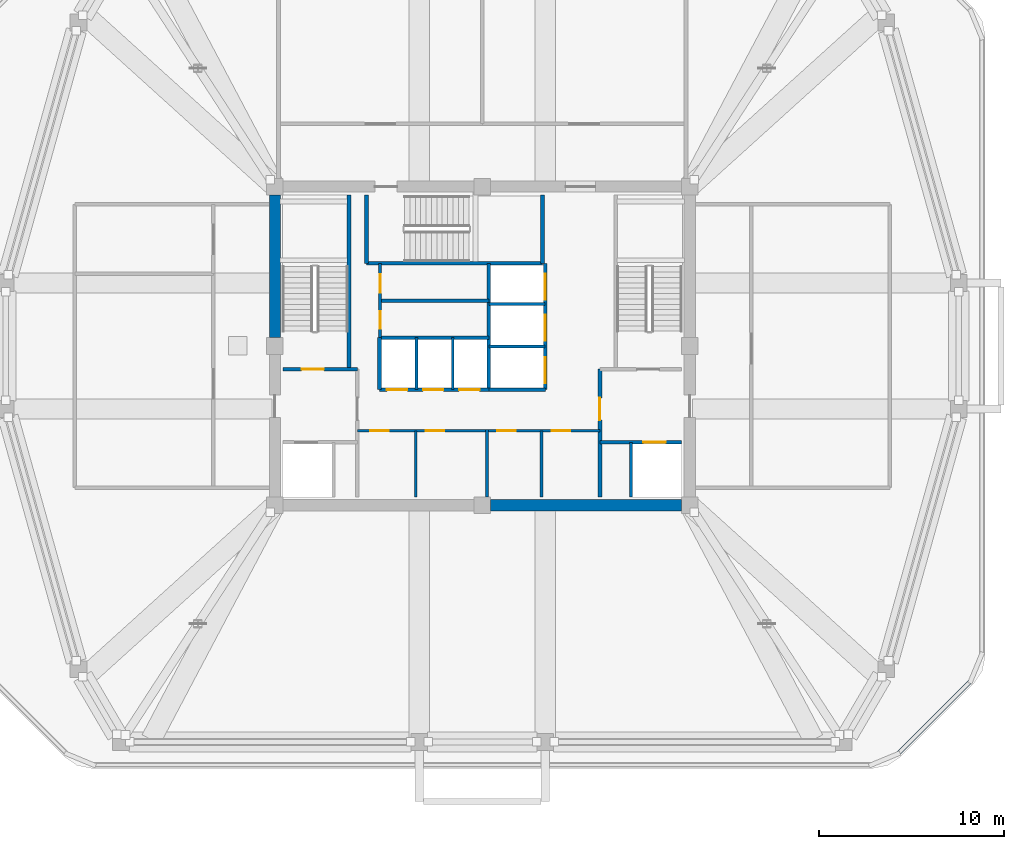
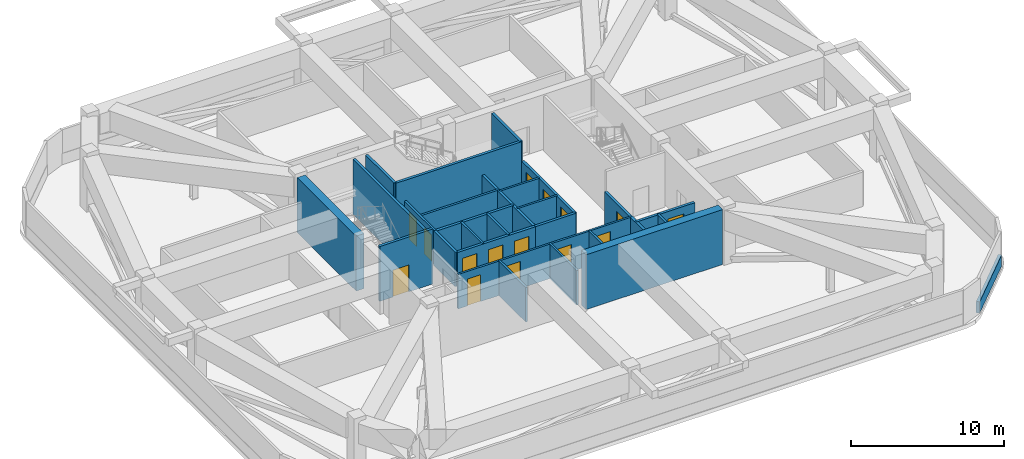
# One storey, part 4 of 9: 28 walls, 15 doors, 15 openings.
"""IFC4 building model written with IfcOpenShell, lengths in metres."""

from ifc_helpers import new_model, si_unit, derived_unit, direction, frame, frame_2d, origin, place, context, subcontext, project, spatial, rectangle, extrude, material, layer, layer_set, type_object, element, fill, save


model = new_model("IFC4")

# Units and contexts
model_context = context("Model", 3, precision=1e-05, world=origin(), true_north=direction((0.0, 1.0)))
body_context = subcontext(model_context, "Body", "Model", "MODEL_VIEW")
ifc_project = project(units=[si_unit("LENGTHUNIT", "METRE"), si_unit("AREAUNIT", "SQUARE_METRE"), si_unit("VOLUMEUNIT", "CUBIC_METRE"), si_unit("PLANEANGLEUNIT", "RADIAN"), si_unit("MASSUNIT", "GRAM", prefix="KILO"), derived_unit("THERMALTRANSMITTANCEUNIT", [(si_unit("POWERUNIT", "WATT"), 1), (si_unit("LENGTHUNIT", "METRE"), -2), (si_unit("THERMODYNAMICTEMPERATUREUNIT", "KELVIN"), -1)])], contexts=[model_context])

# Site, building, storey
site_placement = place(None, origin())
site = spatial("IfcSite", under=ifc_project, at=site_placement, CompositionType="ELEMENT")
building_placement = place(site_placement, origin())
building = spatial("IfcBuilding", under=site, at=building_placement, Name="Koralith Skygarden Medical Center", CompositionType="ELEMENT")
storey_placement = place(building_placement, frame((0.0, 0.0, 232.3798828125)))
storey = spatial("IfcBuildingStorey", under=building, at=storey_placement, Name="L60", CompositionType="ELEMENT", Elevation=232.3798828125)

# Wall, openings, doors
ifc_material_1 = material(Name="Gypsum Board Partition")
ifc_layer_1 = layer(ifc_material_1, 0.14990234375)
ifc_layer_set_1 = layer_set([ifc_layer_1], Name="Gypsum Board Partition")
wall_type_1 = type_object("IfcWallType", Name="Clinical Acoustic Partition 150", PredefinedType="PARTITIONING", material=ifc_layer_set_1)
wall_1_placement = place(storey_placement, frame((30.25, 21.320068359375, 0.0), z_axis=(0.0, 0.0, 1.0), x_axis=(1.0, 0.0, 0.0)))
wall_1 = element("IfcWall", 1, at=wall_1_placement, inside=storey, type_object=wall_type_1, Name="L60 Clinical Acoustic Partition 150 W-CORE-L60-FREED-LR-N", PredefinedType="PARTITIONING", context=body_context, shape_type="SweptSolid", body=[
    extrude(rectangle(XDim=7.0, YDim=0.14990234375, at=frame_2d((3.5, 0.0))), origin(), (0.0, 0.0, 1.0), 2.75),
])
opening_1_placement = place(wall_1_placement, frame((0.699951171875, 0.0, 0.0)))
opening_1 = element("IfcOpeningElement", 2, at=opening_1_placement, cuts=wall_1, Name="Opening D-SUP", PredefinedType="OPENING", context=body_context, shape_type="SweptSolid", body=[
    extrude(rectangle(XDim=1.0, YDim=2.14990234375, at=frame_2d((0.5, 1.074951171875))), frame((0.0, 0.0849609375, 0.0), z_axis=(0.0, -1.0, 0.0), x_axis=(1.0, 0.0, 0.0)), (0.0, 0.0, 1.0), 0.169921875),
])
opening_2_placement = place(wall_1_placement, frame((3.699951171875, 0.0, 0.0)))
opening_2 = element("IfcOpeningElement", 3, at=opening_2_placement, cuts=wall_1, Name="Opening D-SUP", PredefinedType="OPENING", context=body_context, shape_type="SweptSolid", body=[
    extrude(rectangle(XDim=1.0, YDim=2.14990234375, at=frame_2d((0.5, 1.074951171875))), frame((0.0, 0.0849609375, 0.0), z_axis=(0.0, -1.0, 0.0), x_axis=(1.0, 0.0, 0.0)), (0.0, 0.0, 1.0), 0.169921875),
])
ifc_material_2 = material(Name="Aluminium 6063-T6", Category="aluminium")
door_type_1 = type_object("IfcDoorType", Name="Clinical Support Door D-SUP 1000", OperationType="NOTDEFINED", PredefinedType="DOOR", material=ifc_material_2)
door_1_placement = place(opening_1_placement, frame((1.0, 0.0, 0.0), z_axis=(0.0, 0.0, 1.0), x_axis=(-1.0, 0.0, 0.0)))
door_1 = element("IfcDoor", 4, at=door_1_placement, inside=storey, type_object=door_type_1, Name="L60 Medication Preparation Door", OperationType="SINGLE_SWING_LEFT", OverallHeight=2.14990234375, OverallWidth=1.0, PredefinedType="DOOR", context=body_context, shape_type="SweptSolid", body=[
    extrude(rectangle(XDim=1.0, YDim=2.14990234375, at=frame_2d((0.5, 1.074951171875))), frame((0.0, 0.02490234375, 0.0), z_axis=(0.0, -1.0, 0.0), x_axis=(1.0, 0.0, 0.0)), (0.0, 0.0, 1.0), 0.050048828125),
])
fill(opening_1, door_1)
door_2_placement = place(opening_2_placement, frame((1.0, 0.0, 0.0), z_axis=(0.0, 0.0, 1.0), x_axis=(-1.0, 0.0, 0.0)))
door_2 = element("IfcDoor", 5, at=door_2_placement, inside=storey, type_object=door_type_1, Name="L60 Telemetry Room Door", OperationType="SINGLE_SWING_RIGHT", OverallHeight=2.14990234375, OverallWidth=1.0, PredefinedType="DOOR", context=body_context, shape_type="SweptSolid", body=[
    extrude(rectangle(XDim=1.0, YDim=2.14990234375, at=frame_2d((0.5, 1.074951171875))), frame((0.0, 0.02490234375, 0.0), z_axis=(0.0, -1.0, 0.0), x_axis=(1.0, 0.0, 0.0)), (0.0, 0.0, 1.0), 0.050048828125),
])
fill(opening_2, door_2)

# Wall
wall_2_placement = place(storey_placement, frame((33.39990234375, 17.75, 0.0), z_axis=(0.0, 0.0, 1.0), x_axis=(0.0, 1.0, 0.0)))
element("IfcWall", 6, at=wall_2_placement, inside=storey, type_object=wall_type_1, Name="L60 Clinical Acoustic Partition 150 W-CORE-L60-FREED-LR-M", PredefinedType="PARTITIONING", context=body_context, shape_type="SweptSolid", body=[
    extrude(rectangle(XDim=3.570068359375, YDim=0.14990234375, at=frame_2d((1.78515625, 0.0))), origin(), (0.0, 0.0, 1.0), 2.75),
])

# Wall, openings, doors
wall_3_placement = place(storey_placement, frame((37.25, 21.320068359375, 0.0), z_axis=(0.0, 0.0, 1.0), x_axis=(1.0, 0.0, 0.0)))
wall_3 = element("IfcWall", 7, at=wall_3_placement, inside=storey, type_object=wall_type_1, Name="L60 Clinical Acoustic Partition 150 W-CORE-L60-FREED-MR-N", PredefinedType="PARTITIONING", context=body_context, shape_type="SweptSolid", body=[
    extrude(rectangle(XDim=6.10009765625, YDim=0.14990234375, at=frame_2d((3.050048828125, 0.0))), origin(), (0.0, 0.0, 1.0), 2.75),
])
opening_3_placement = place(wall_3_placement, frame((0.550048828125, 0.0, 0.0)))
opening_3 = element("IfcOpeningElement", 8, at=opening_3_placement, cuts=wall_3, Name="Opening D-SUP", PredefinedType="OPENING", context=body_context, shape_type="SweptSolid", body=[
    extrude(rectangle(XDim=1.0, YDim=2.14990234375, at=frame_2d((0.5, 1.074951171875))), frame((0.0, 0.0849609375, 0.0), z_axis=(0.0, -1.0, 0.0), x_axis=(1.0, 0.0, 0.0)), (0.0, 0.0, 1.0), 0.169921875),
])
opening_4_placement = place(wall_3_placement, frame((3.5, 0.0, 0.0)))
opening_4 = element("IfcOpeningElement", 9, at=opening_4_placement, cuts=wall_3, Name="Opening D-SUP", PredefinedType="OPENING", context=body_context, shape_type="SweptSolid", body=[
    extrude(rectangle(XDim=1.0, YDim=2.14990234375, at=frame_2d((0.5, 1.074951171875))), frame((0.0, 0.0849609375, 0.0), z_axis=(0.0, -1.0, 0.0), x_axis=(1.0, 0.0, 0.0)), (0.0, 0.0, 1.0), 0.169921875),
])
door_3_placement = place(opening_3_placement, frame((1.0, 0.0, 0.0), z_axis=(0.0, 0.0, 1.0), x_axis=(-1.0, 0.0, 0.0)))
door_3 = element("IfcDoor", 10, at=door_3_placement, inside=storey, type_object=door_type_1, Name="L60 Satellite Pharmacy Door", OperationType="SINGLE_SWING_LEFT", OverallHeight=2.14990234375, OverallWidth=1.0, PredefinedType="DOOR", context=body_context, shape_type="SweptSolid", body=[
    extrude(rectangle(XDim=1.0, YDim=2.14990234375, at=frame_2d((0.5, 1.074951171875))), frame((0.0, 0.02490234375, 0.0), z_axis=(0.0, -1.0, 0.0), x_axis=(1.0, 0.0, 0.0)), (0.0, 0.0, 1.0), 0.050048828125),
])
fill(opening_3, door_3)
door_4_placement = place(opening_4_placement, frame((1.0, 0.0, 0.0), z_axis=(0.0, 0.0, 1.0), x_axis=(-1.0, 0.0, 0.0)))
door_4 = element("IfcDoor", 11, at=door_4_placement, inside=storey, type_object=door_type_1, Name="L60 Biomedical Equipment Door", OperationType="SINGLE_SWING_RIGHT", OverallHeight=2.14990234375, OverallWidth=1.0, PredefinedType="DOOR", context=body_context, shape_type="SweptSolid", body=[
    extrude(rectangle(XDim=1.0, YDim=2.14990234375, at=frame_2d((0.5, 1.074951171875))), frame((0.0, 0.02490234375, 0.0), z_axis=(0.0, -1.0, 0.0), x_axis=(1.0, 0.0, 0.0)), (0.0, 0.0, 1.0), 0.050048828125),
])
fill(opening_4, door_4)

# Wall
wall_4_placement = place(storey_placement, frame((40.199951171875, 17.75, 0.0), z_axis=(0.0, 0.0, 1.0), x_axis=(0.0, 1.0, 0.0)))
element("IfcWall", 12, at=wall_4_placement, inside=storey, type_object=wall_type_1, Name="L60 Clinical Acoustic Partition 150 W-CORE-L60-FREED-MR-M", PredefinedType="PARTITIONING", context=body_context, shape_type="SweptSolid", body=[
    extrude(rectangle(XDim=3.570068359375, YDim=0.14990234375, at=frame_2d((1.78515625, 0.0))), origin(), (0.0, 0.0, 1.0), 2.75),
])

# Wall, opening, door
ifc_layer_2 = layer(ifc_material_1, 0.199951171875)
ifc_layer_set_2 = layer_set([ifc_layer_2], Name="Gypsum Board Partition")
wall_type_2 = type_object("IfcWallType", Name="Fire Shaft Wall 200", PredefinedType="SOLIDWALL", material=ifc_layer_set_2)
wall_5_placement = place(storey_placement, frame((43.35009765625, 20.699951171875, 0.0), z_axis=(0.0, 0.0, 1.0), x_axis=(1.0, 0.0, 0.0)))
wall_5 = element("IfcWall", 13, at=wall_5_placement, inside=storey, type_object=wall_type_2, Name="L60 Fire Shaft Wall 200 W-CORE-L60-FF2-N", PredefinedType="SOLIDWALL", context=body_context, shape_type="SweptSolid", body=[
    extrude(rectangle(XDim=4.39990234375, YDim=0.199951171875, at=frame_2d((2.199951171875, 0.0))), origin(), (0.0, 0.0, 1.0), 2.75),
])
opening_5_placement = place(wall_5_placement, frame((2.35009765625, 0.0, 0.0)))
opening_5 = element("IfcOpeningElement", 14, at=opening_5_placement, cuts=wall_5, Name="Opening LD-FF", PredefinedType="OPENING", context=body_context, shape_type="SweptSolid", body=[
    extrude(rectangle(XDim=1.199951171875, YDim=2.14990234375, at=frame_2d((0.60009765625, 1.074951171875))), frame((0.0, 0.10986328125, 0.0), z_axis=(0.0, -1.0, 0.0), x_axis=(1.0, 0.0, 0.0)), (0.0, 0.0, 1.0), 0.219970703125),
])
ifc_material_3 = material(Name="Steel ASTM A500 Grade C", Category="steel")
door_type_2 = type_object("IfcDoorType", Name="Fire Lift Sliding Landing Door LD-FF 1200", OperationType="NOTDEFINED", PredefinedType="DOOR", material=ifc_material_3)
door_5_placement = place(opening_5_placement, origin())
door_5 = element("IfcDoor", 15, at=door_5_placement, inside=storey, type_object=door_type_2, Name="L60 Fire Service Elevator FF2 Landing Door", OperationType="SLIDING_TO_RIGHT", OverallHeight=2.14990234375, OverallWidth=1.199951171875, PredefinedType="DOOR", context=body_context, shape_type="SweptSolid", body=[
    extrude(rectangle(XDim=1.199951171875, YDim=2.14990234375, at=frame_2d((0.60009765625, 1.074951171875))), frame((0.0, 0.02490234375, 0.0), z_axis=(0.0, -1.0, 0.0), x_axis=(1.0, 0.0, 0.0)), (0.0, 0.0, 1.0), 0.050048828125),
])
fill(opening_5, door_5)

wall_6_placement = place(storey_placement, frame((43.35009765625, 17.75, 0.0), z_axis=(0.0, 0.0, 1.0), x_axis=(0.0, 1.0, 0.0)))
wall_6 = element("IfcWall", 16, at=wall_6_placement, inside=storey, type_object=wall_type_2, Name="L60 Fire Shaft Wall 200 W-CORE-L60-FSAEE-W", PredefinedType="SOLIDWALL", context=body_context, shape_type="SweptSolid", body=[
    extrude(rectangle(XDim=6.89990234375, YDim=0.199951171875, at=frame_2d((3.449951171875, 0.0))), origin(), (0.0, 0.0, 1.0), 2.75),
])
opening_6_placement = place(wall_6_placement, frame((4.14990234375, 0.0, 0.0)))
opening_6 = element("IfcOpeningElement", 17, at=opening_6_placement, cuts=wall_6, Name="Opening D-ST60", PredefinedType="OPENING", context=body_context, shape_type="SweptSolid", body=[
    extrude(rectangle(XDim=1.199951171875, YDim=2.14990234375, at=frame_2d((0.60009765625, 1.074951171875))), frame((0.0, 0.10986328125, 0.0), z_axis=(0.0, -1.0, 0.0), x_axis=(1.0, 0.0, 0.0)), (0.0, 0.0, 1.0), 0.219970703125),
])
door_type_3 = type_object("IfcDoorType", Name="Smokeproof Stair Fire Door FD60S 1200", OperationType="NOTDEFINED", PredefinedType="DOOR", material=ifc_material_3)
door_6_placement = place(opening_6_placement, frame((1.199951171875, 0.0, 0.0), z_axis=(0.0, 0.0, 1.0), x_axis=(-1.0, 0.0, 0.0)))
door_6 = element("IfcDoor", 18, at=door_6_placement, inside=storey, type_object=door_type_3, Name="L60 East Firefighting Lobby Inner Fire Door", OperationType="SINGLE_SWING_RIGHT", OverallHeight=2.14990234375, OverallWidth=1.199951171875, PredefinedType="DOOR", context=body_context, shape_type="SweptSolid", body=[
    extrude(rectangle(XDim=1.199951171875, YDim=2.14990234375, at=frame_2d((0.60009765625, 1.074951171875))), frame((0.0, 0.02490234375, 0.0), z_axis=(0.0, -1.0, 0.0), x_axis=(1.0, 0.0, 0.0)), (0.0, 0.0, 1.0), 0.050048828125),
])
fill(opening_6, door_6)

# Wall, openings, doors
wall_7_placement = place(storey_placement, frame((31.449951171875, 23.5400390625, 0.0), z_axis=(0.0, 0.0, 1.0), x_axis=(1.0, 0.0, 0.0)))
wall_7 = element("IfcWall", 19, at=wall_7_placement, inside=storey, type_object=wall_type_2, Name="L60 Fire Shaft Wall 200 W-CORE-L60-PH-S", PredefinedType="SOLIDWALL", context=body_context, shape_type="SweptSolid", body=[
    extrude(rectangle(XDim=5.900146484375, YDim=0.199951171875, at=frame_2d((2.9501953125, 0.0))), origin(), (0.0, 0.0, 1.0), 2.75),
])
opening_7_placement = place(wall_7_placement, frame((0.39990234375, 0.0, 0.0)))
opening_7 = element("IfcOpeningElement", 20, at=opening_7_placement, cuts=wall_7, Name="Opening LD-P", PredefinedType="OPENING", context=body_context, shape_type="SweptSolid", body=[
    extrude(rectangle(XDim=1.10009765625, YDim=2.14990234375, at=frame_2d((0.550048828125, 1.074951171875))), frame((0.0, 0.10986328125, 0.0), z_axis=(0.0, -1.0, 0.0), x_axis=(1.0, 0.0, 0.0)), (0.0, 0.0, 1.0), 0.219970703125),
])
opening_8_placement = place(wall_7_placement, frame((2.35009765625, 0.0, 0.0)))
opening_8 = element("IfcOpeningElement", 21, at=opening_8_placement, cuts=wall_7, Name="Opening LD-P", PredefinedType="OPENING", context=body_context, shape_type="SweptSolid", body=[
    extrude(rectangle(XDim=1.10009765625, YDim=2.14990234375, at=frame_2d((0.550048828125, 1.074951171875))), frame((0.0, 0.10986328125, 0.0), z_axis=(0.0, -1.0, 0.0), x_axis=(1.0, 0.0, 0.0)), (0.0, 0.0, 1.0), 0.219970703125),
])
opening_9_placement = place(wall_7_placement, frame((4.300048828125, 0.0, 0.0)))
opening_9 = element("IfcOpeningElement", 22, at=opening_9_placement, cuts=wall_7, Name="Opening LD-P", PredefinedType="OPENING", context=body_context, shape_type="SweptSolid", body=[
    extrude(rectangle(XDim=1.10009765625, YDim=2.14990234375, at=frame_2d((0.550048828125, 1.074951171875))), frame((0.0, 0.10986328125, 0.0), z_axis=(0.0, -1.0, 0.0), x_axis=(1.0, 0.0, 0.0)), (0.0, 0.0, 1.0), 0.219970703125),
])
door_type_4 = type_object("IfcDoorType", Name="Passenger Lift Sliding Landing Door LD-P 1100", OperationType="NOTDEFINED", PredefinedType="DOOR", material=ifc_material_3)
door_7_placement = place(opening_7_placement, origin())
door_7 = element("IfcDoor", 23, at=door_7_placement, inside=storey, type_object=door_type_4, Name="L60 Passenger Elevator PH1 Landing Door", OperationType="SLIDING_TO_RIGHT", OverallHeight=2.14990234375, OverallWidth=1.10009765625, PredefinedType="DOOR", context=body_context, shape_type="SweptSolid", body=[
    extrude(rectangle(XDim=1.10009765625, YDim=2.14990234375, at=frame_2d((0.550048828125, 1.074951171875))), frame((0.0, 0.02490234375, 0.0), z_axis=(0.0, -1.0, 0.0), x_axis=(1.0, 0.0, 0.0)), (0.0, 0.0, 1.0), 0.050048828125),
])
fill(opening_7, door_7)
door_8_placement = place(opening_8_placement, origin())
door_8 = element("IfcDoor", 24, at=door_8_placement, inside=storey, type_object=door_type_4, Name="L60 Passenger Elevator PH2 Landing Door", OperationType="SLIDING_TO_RIGHT", OverallHeight=2.14990234375, OverallWidth=1.10009765625, PredefinedType="DOOR", context=body_context, shape_type="SweptSolid", body=[
    extrude(rectangle(XDim=1.10009765625, YDim=2.14990234375, at=frame_2d((0.550048828125, 1.074951171875))), frame((0.0, 0.02490234375, 0.0), z_axis=(0.0, -1.0, 0.0), x_axis=(1.0, 0.0, 0.0)), (0.0, 0.0, 1.0), 0.050048828125),
])
fill(opening_8, door_8)
door_9_placement = place(opening_9_placement, origin())
door_9 = element("IfcDoor", 25, at=door_9_placement, inside=storey, type_object=door_type_4, Name="L60 Passenger Elevator PH3 Landing Door", OperationType="SLIDING_TO_RIGHT", OverallHeight=2.14990234375, OverallWidth=1.10009765625, PredefinedType="DOOR", context=body_context, shape_type="SweptSolid", body=[
    extrude(rectangle(XDim=1.10009765625, YDim=2.14990234375, at=frame_2d((0.550048828125, 1.074951171875))), frame((0.0, 0.02490234375, 0.0), z_axis=(0.0, -1.0, 0.0), x_axis=(1.0, 0.0, 0.0)), (0.0, 0.0, 1.0), 0.050048828125),
])
fill(opening_9, door_9)

# Walls
wall_8_placement = place(storey_placement, frame((31.449951171875, 26.35009765625, 0.0), z_axis=(0.0, 0.0, 1.0), x_axis=(1.0, 0.0, 0.0)))
element("IfcWall", 26, at=wall_8_placement, inside=storey, type_object=wall_type_2, Name="L60 Fire Shaft Wall 200 W-CORE-L60-PH-N", PredefinedType="SOLIDWALL", context=body_context, shape_type="SweptSolid", body=[
    extrude(rectangle(XDim=5.900146484375, YDim=0.199951171875, at=frame_2d((2.9501953125, 0.0))), origin(), (0.0, 0.0, 1.0), 2.75),
])
wall_9_placement = place(storey_placement, frame((31.449951171875, 23.5400390625, 0.0), z_axis=(0.0, 0.0, 1.0), x_axis=(0.0, 1.0, 0.0)))
element("IfcWall", 27, at=wall_9_placement, inside=storey, type_object=wall_type_2, Name="L60 Fire Shaft Wall 200 W-CORE-L60-PH-W", PredefinedType="SOLIDWALL", context=body_context, shape_type="SweptSolid", body=[
    extrude(rectangle(XDim=2.81005859375, YDim=0.199951171875, at=frame_2d((1.405029296875, 0.0))), origin(), (0.0, 0.0, 1.0), 2.75),
])
wall_10_placement = place(storey_placement, frame((37.35009765625, 23.5400390625, 0.0), z_axis=(0.0, 0.0, 1.0), x_axis=(0.0, 1.0, 0.0)))
element("IfcWall", 28, at=wall_10_placement, inside=storey, type_object=wall_type_2, Name="L60 Fire Shaft Wall 200 W-CORE-L60-SV-W", PredefinedType="SOLIDWALL", context=body_context, shape_type="SweptSolid", body=[
    extrude(rectangle(XDim=6.820068359375, YDim=0.199951171875, at=frame_2d((3.41015625, 0.0))), origin(), (0.0, 0.0, 1.0), 2.75),
])
wall_11_placement = place(storey_placement, frame((37.35009765625, 23.5400390625, 0.0), z_axis=(0.0, 0.0, 1.0), x_axis=(1.0, 0.0, 0.0)))
element("IfcWall", 29, at=wall_11_placement, inside=storey, type_object=wall_type_2, Name="L60 Fire Shaft Wall 200 W-CORE-L60-SV-S", PredefinedType="SOLIDWALL", context=body_context, shape_type="SweptSolid", body=[
    extrude(rectangle(XDim=3.0498046875, YDim=0.199951171875, at=frame_2d((1.52490234375, 0.0))), origin(), (0.0, 0.0, 1.0), 2.75),
])

# Wall, openings, doors
wall_12_placement = place(storey_placement, frame((40.39990234375, 23.5400390625, 0.0), z_axis=(0.0, 0.0, 1.0), x_axis=(0.0, 1.0, 0.0)))
wall_12 = element("IfcWall", 30, at=wall_12_placement, inside=storey, type_object=wall_type_2, Name="L60 Fire Shaft Wall 200 W-CORE-L60-SV-E", PredefinedType="SOLIDWALL", context=body_context, shape_type="SweptSolid", body=[
    extrude(rectangle(XDim=6.820068359375, YDim=0.199951171875, at=frame_2d((3.41015625, 0.0))), origin(), (0.0, 0.0, 1.0), 2.75),
])
opening_10_placement = place(wall_12_placement, frame((0.35009765625, 0.0, 0.0)))
opening_10 = element("IfcOpeningElement", 31, at=opening_10_placement, cuts=wall_12, Name="Opening LD-SV", PredefinedType="OPENING", context=body_context, shape_type="SweptSolid", body=[
    extrude(rectangle(XDim=1.39990234375, YDim=2.199951171875, at=frame_2d((0.699951171875, 1.10009765625))), frame((0.0, 0.10986328125, 0.0), z_axis=(0.0, -1.0, 0.0), x_axis=(1.0, 0.0, 0.0)), (0.0, 0.0, 1.0), 0.219970703125),
])
opening_11_placement = place(wall_12_placement, frame((2.64990234375, 0.0, 0.0)))
opening_11 = element("IfcOpeningElement", 32, at=opening_11_placement, cuts=wall_12, Name="Opening LD-SV", PredefinedType="OPENING", context=body_context, shape_type="SweptSolid", body=[
    extrude(rectangle(XDim=1.39990234375, YDim=2.199951171875, at=frame_2d((0.699951171875, 1.10009765625))), frame((0.0, 0.10986328125, 0.0), z_axis=(0.0, -1.0, 0.0), x_axis=(1.0, 0.0, 0.0)), (0.0, 0.0, 1.0), 0.219970703125),
])
opening_12_placement = place(wall_12_placement, frame((4.85009765625, 0.0, 0.0)))
opening_12 = element("IfcOpeningElement", 33, at=opening_12_placement, cuts=wall_12, Name="Opening LD-SV", PredefinedType="OPENING", context=body_context, shape_type="SweptSolid", body=[
    extrude(rectangle(XDim=1.39990234375, YDim=2.199951171875, at=frame_2d((0.699951171875, 1.10009765625))), frame((0.0, 0.10986328125, 0.0), z_axis=(0.0, -1.0, 0.0), x_axis=(1.0, 0.0, 0.0)), (0.0, 0.0, 1.0), 0.219970703125),
])
door_type_5 = type_object("IfcDoorType", Name="Bed Lift Sliding Landing Door LD-SV 1400", OperationType="NOTDEFINED", PredefinedType="DOOR", material=ifc_material_3)
door_10_placement = place(opening_10_placement, origin())
door_10 = element("IfcDoor", 34, at=door_10_placement, inside=storey, type_object=door_type_5, Name="L60 Bed Elevator BD1 Landing Door", OperationType="SLIDING_TO_LEFT", OverallHeight=2.199951171875, OverallWidth=1.39990234375, PredefinedType="DOOR", context=body_context, shape_type="SweptSolid", body=[
    extrude(rectangle(XDim=1.39990234375, YDim=2.199951171875, at=frame_2d((0.699951171875, 1.10009765625))), frame((0.0, 0.02490234375, 0.0), z_axis=(0.0, -1.0, 0.0), x_axis=(1.0, 0.0, 0.0)), (0.0, 0.0, 1.0), 0.050048828125),
])
fill(opening_10, door_10)
door_11_placement = place(opening_11_placement, origin())
door_11 = element("IfcDoor", 35, at=door_11_placement, inside=storey, type_object=door_type_5, Name="L60 Service Elevator BD2 Landing Door", OperationType="SLIDING_TO_LEFT", OverallHeight=2.199951171875, OverallWidth=1.39990234375, PredefinedType="DOOR", context=body_context, shape_type="SweptSolid", body=[
    extrude(rectangle(XDim=1.39990234375, YDim=2.199951171875, at=frame_2d((0.699951171875, 1.10009765625))), frame((0.0, 0.02490234375, 0.0), z_axis=(0.0, -1.0, 0.0), x_axis=(1.0, 0.0, 0.0)), (0.0, 0.0, 1.0), 0.050048828125),
])
fill(opening_11, door_11)
door_12_placement = place(opening_12_placement, origin())
door_12 = element("IfcDoor", 36, at=door_12_placement, inside=storey, type_object=door_type_5, Name="L60 Trauma Elevator TR1 Landing Door", OperationType="SLIDING_TO_RIGHT", OverallHeight=2.199951171875, OverallWidth=1.39990234375, PredefinedType="DOOR", context=body_context, shape_type="SweptSolid", body=[
    extrude(rectangle(XDim=1.39990234375, YDim=2.199951171875, at=frame_2d((0.699951171875, 1.10009765625))), frame((0.0, 0.02490234375, 0.0), z_axis=(0.0, -1.0, 0.0), x_axis=(1.0, 0.0, 0.0)), (0.0, 0.0, 1.0), 0.050048828125),
])
fill(opening_12, door_12)

# Wall
ifc_material_4 = material(Name="Warm Oolitic Limestone Cladding", Category="masonry")
ifc_layer_3 = layer(ifc_material_4, 0.239990234375)
ifc_layer_set_3 = layer_set([ifc_layer_3], Name="Warm Oolitic Limestone Cladding")
wall_type_3 = type_object("IfcWallType", Name="Limestone Spandrel Sill Backup Wall 240", PredefinedType="SOLIDWALL", material=ifc_layer_set_3)
wall_13_placement = place(storey_placement, frame((59.43798828125, 3.881103515625, 0.0), z_axis=(0.0, 0.0, 1.0), x_axis=(0.707128783731, 0.707084777957, 0.0)))
element("IfcWall", 37, at=wall_13_placement, inside=storey, type_object=wall_type_3, Name="L60 Plant Sill Backup Wall SE", PredefinedType="SOLIDWALL", context=body_context, shape_type="SweptSolid", body=[
    extrude(rectangle(XDim=5.5478515625, YDim=0.239990234375, at=frame_2d((2.77392578125, 0.0))), origin(), (0.0, 0.0, 1.0), 0.900146484375),
])

# Wall, openings, doors
ifc_layer_4 = layer(ifc_material_1, 0.1650390625)
ifc_layer_set_4 = layer_set([ifc_layer_4], Name="Gypsum Board Partition")
wall_type_4 = type_object("IfcWallType", Name="Plumbing Wet Wall 165", PredefinedType="PLUMBINGWALL", material=ifc_layer_set_4)
wall_14_placement = place(storey_placement, frame((31.47998046875, 26.320068359375, 0.0), z_axis=(0.0, 0.0, 1.0), x_axis=(0.0, 1.0, 0.0)))
wall_14 = element("IfcWall", 38, at=wall_14_placement, inside=storey, type_object=wall_type_4, Name="L60 Plumbing Wet Wall 165 W-CORE-L60-FLEX-W", PredefinedType="PLUMBINGWALL", context=body_context, shape_type="SweptSolid", body=[
    extrude(rectangle(XDim=4.0400390625, YDim=0.1650390625, at=frame_2d((2.02001953125, 0.0))), origin(), (0.0, 0.0, 1.0), 2.75),
])
opening_13_placement = place(wall_14_placement, frame((0.5, 0.0, 0.0)))
opening_13 = element("IfcOpeningElement", 39, at=opening_13_placement, cuts=wall_14, Name="Opening D-WC", PredefinedType="OPENING", context=body_context, shape_type="SweptSolid", body=[
    extrude(rectangle(XDim=0.949951171875, YDim=2.10009765625, at=frame_2d((0.47509765625, 1.050048828125))), frame((0.0, 0.092529296875, 0.0), z_axis=(0.0, -1.0, 0.0), x_axis=(1.0, 0.0, 0.0)), (0.0, 0.0, 1.0), 0.18505859375),
])
opening_14_placement = place(wall_14_placement, frame((2.449951171875, 0.0, 0.0)))
opening_14 = element("IfcOpeningElement", 40, at=opening_14_placement, cuts=wall_14, Name="Opening D-SUP", PredefinedType="OPENING", context=body_context, shape_type="SweptSolid", body=[
    extrude(rectangle(XDim=1.0, YDim=2.14990234375, at=frame_2d((0.5, 1.074951171875))), frame((0.0, 0.092529296875, 0.0), z_axis=(0.0, -1.0, 0.0), x_axis=(1.0, 0.0, 0.0)), (0.0, 0.0, 1.0), 0.18505859375),
])
door_type_6 = type_object("IfcDoorType", Name="Accessible Toilet Door D-WC 950", OperationType="NOTDEFINED", PredefinedType="DOOR", material=ifc_material_2)
door_13_placement = place(opening_13_placement, frame((0.949951171875, 0.0, 0.0), z_axis=(0.0, 0.0, 1.0), x_axis=(-1.0, 0.0, 0.0)))
door_13 = element("IfcDoor", 41, at=door_13_placement, inside=storey, type_object=door_type_6, Name="L60 Core Accessible WC Door", OperationType="SINGLE_SWING_LEFT", OverallHeight=2.10009765625, OverallWidth=0.949951171875, PredefinedType="DOOR", context=body_context, shape_type="SweptSolid", body=[
    extrude(rectangle(XDim=0.949951171875, YDim=2.10009765625, at=frame_2d((0.47509765625, 1.050048828125))), frame((0.0, 0.02490234375, 0.0), z_axis=(0.0, -1.0, 0.0), x_axis=(1.0, 0.0, 0.0)), (0.0, 0.0, 1.0), 0.050048828125),
])
fill(opening_13, door_13)
door_14_placement = place(opening_14_placement, frame((1.0, 0.0, 0.0), z_axis=(0.0, 0.0, 1.0), x_axis=(-1.0, 0.0, 0.0)))
door_14 = element("IfcDoor", 42, at=door_14_placement, inside=storey, type_object=door_type_1, Name="L60 Core Clean Utility Door", OperationType="SINGLE_SWING_RIGHT", OverallHeight=2.14990234375, OverallWidth=1.0, PredefinedType="DOOR", context=body_context, shape_type="SweptSolid", body=[
    extrude(rectangle(XDim=1.0, YDim=2.14990234375, at=frame_2d((0.5, 1.074951171875))), frame((0.0, 0.02490234375, 0.0), z_axis=(0.0, -1.0, 0.0), x_axis=(1.0, 0.0, 0.0)), (0.0, 0.0, 1.0), 0.050048828125),
])
fill(opening_14, door_14)

# Walls
wall_15_placement = place(storey_placement, frame((31.47998046875, 28.340087890625, 0.0), z_axis=(0.0, 0.0, 1.0), x_axis=(1.0, 0.0, 0.0)))
element("IfcWall", 43, at=wall_15_placement, inside=storey, type_object=wall_type_4, Name="L60 Plumbing Wet Wall 165 W-CORE-L60-FLEX-H0", PredefinedType="PLUMBINGWALL", context=body_context, shape_type="SweptSolid", body=[
    extrude(rectangle(XDim=5.8701171875, YDim=0.1650390625, at=frame_2d((2.93505859375, 0.0))), origin(), (0.0, 0.0, 1.0), 2.75),
])
ifc_layer_5 = layer(ifc_material_1, 0.14990234375)
ifc_layer_set_5 = layer_set([ifc_layer_5], Name="Gypsum Board Partition")
wall_type_5 = type_object("IfcWallType", Name="Shaft Partition Wall 150", PredefinedType="PARTITIONING", material=ifc_layer_set_5)
wall_16_placement = place(storey_placement, frame((45.02001953125, 17.75, 0.0), z_axis=(0.0, 0.0, 1.0), x_axis=(0.0, 1.0, 0.0)))
element("IfcWall", 44, at=wall_16_placement, inside=storey, type_object=wall_type_5, Name="L60 Shaft Partition Wall 150 W-CORE-L60-RSRE-DIV", PredefinedType="PARTITIONING", context=body_context, shape_type="SweptSolid", body=[
    extrude(rectangle(XDim=2.949951171875, YDim=0.14990234375, at=frame_2d((1.47509765625, 0.0))), origin(), (0.0, 0.0, 1.0), 2.75),
])
wall_17_placement = place(storey_placement, frame((37.25, 17.75, 0.0), z_axis=(0.0, 0.0, 1.0), x_axis=(0.0, 1.0, 0.0)))
element("IfcWall", 45, at=wall_17_placement, inside=storey, type_object=wall_type_5, Name="L60 Shaft Partition Wall 150 W-CORE-L60-PL-PM-SEP", PredefinedType="PARTITIONING", context=body_context, shape_type="SweptSolid", body=[
    extrude(rectangle(XDim=3.64990234375, YDim=0.14990234375, at=frame_2d((1.824951171875, 0.0))), origin(), (0.0, 0.0, 1.0), 2.75),
])
for number, where, z_axis, x_axis, name in (
    (46, (33.449951171875, 23.5400390625, 0.0), (0.0, 0.0, 1.0), (0.0, 1.0, 0.0), "L60 Shaft Partition Wall 150 W-CORE-L60-PH-D1"),
    (47, (35.39990234375, 23.5400390625, 0.0), (0.0, 0.0, 1.0), (0.0, 1.0, 0.0), "L60 Shaft Partition Wall 150 W-CORE-L60-PH-D2"),
):
    element("IfcWall", number, at=place(storey_placement, frame(where, z_axis=z_axis, x_axis=x_axis)), inside=storey, type_object=wall_type_5, Name=name, PredefinedType="PARTITIONING", context=body_context, shape_type="SweptSolid", body=[
        extrude(rectangle(XDim=2.81005859375, YDim=0.14990234375, at=frame_2d((1.405029296875, 0.0))), origin(), (0.0, 0.0, 1.0), 2.75),
    ])
for number, where, z_axis, x_axis, name in (
    (48, (37.3701171875, 25.8701171875, 0.0), (0.0, 0.0, 1.0), (1.0, 0.0, 0.0), "L60 Shaft Partition Wall 150 W-CORE-L60-SV-D1"),
    (49, (37.3701171875, 28.169921875, 0.0), (0.0, 0.0, 1.0), (1.0, 0.0, 0.0), "L60 Shaft Partition Wall 150 W-CORE-L60-SV-D2"),
):
    element("IfcWall", number, at=place(storey_placement, frame(where, z_axis=z_axis, x_axis=x_axis)), inside=storey, type_object=wall_type_5, Name=name, PredefinedType="PARTITIONING", context=body_context, shape_type="SweptSolid", body=[
        extrude(rectangle(XDim=3.009765625, YDim=0.14990234375, at=frame_2d((1.5048828125, 0.0))), origin(), (0.0, 0.0, 1.0), 2.75),
    ])
ifc_material_5 = material(Name="Concrete C45/55", Category="concrete")
ifc_layer_6 = layer(ifc_material_5, 0.199951171875)
ifc_layer_set_6 = layer_set([ifc_layer_6], Name="Concrete C45/55")
wall_type_6 = type_object("IfcWallType", Name="Structural Stair Shaft Wall 200", PredefinedType="SHEAR", material=ifc_layer_set_6)
wall_18_placement = place(storey_placement, frame((29.800048828125, 24.64990234375, 0.0), z_axis=(0.0, 0.0, 1.0), x_axis=(0.0, 1.0, 0.0)))
element("IfcWall", 50, at=wall_18_placement, inside=storey, type_object=wall_type_6, Name="L60 Structural Stair Shaft Wall 200 W-CORE-L60-ST1-E", PredefinedType="SHEAR", context=body_context, shape_type="SweptSolid", body=[
    extrude(rectangle(XDim=9.400146484375, YDim=0.199951171875, at=frame_2d((4.7001953125, 0.0))), origin(), (0.0, 0.0, 1.0), 4.380126953125),
])

# Wall, opening, door
wall_19_placement = place(storey_placement, frame((26.25, 24.64990234375, 0.0), z_axis=(0.0, 0.0, 1.0), x_axis=(1.0, 0.0, 0.0)))
wall_19 = element("IfcWall", 51, at=wall_19_placement, inside=storey, type_object=wall_type_6, Name="L60 Structural Stair Shaft Wall 200 W-CORE-L60-ST1-S", PredefinedType="SHEAR", context=body_context, shape_type="SweptSolid", body=[
    extrude(rectangle(XDim=4.0, YDim=0.199951171875, at=frame_2d((2.0, 0.0))), origin(), (0.0, 0.0, 1.0), 4.380126953125),
])
opening_15_placement = place(wall_19_placement, frame((1.0, 0.0, 0.0)))
opening_15 = element("IfcOpeningElement", 52, at=opening_15_placement, cuts=wall_19, Name="Opening D-ST60", PredefinedType="OPENING", context=body_context, shape_type="SweptSolid", body=[
    extrude(rectangle(XDim=1.199951171875, YDim=2.14990234375, at=frame_2d((0.60009765625, 1.074951171875))), frame((0.0, 0.10986328125, 0.0), z_axis=(0.0, -1.0, 0.0), x_axis=(1.0, 0.0, 0.0)), (0.0, 0.0, 1.0), 0.219970703125),
])
door_15_placement = place(opening_15_placement, origin())
door_15 = element("IfcDoor", 53, at=door_15_placement, inside=storey, type_object=door_type_3, Name="L60 Exit Stair ST1 Fire Door", OperationType="SINGLE_SWING_LEFT", OverallHeight=2.14990234375, OverallWidth=1.199951171875, PredefinedType="DOOR", context=body_context, shape_type="SweptSolid", body=[
    extrude(rectangle(XDim=1.199951171875, YDim=2.14990234375, at=frame_2d((0.60009765625, 1.074951171875))), frame((0.0, 0.02490234375, 0.0), z_axis=(0.0, -1.0, 0.0), x_axis=(1.0, 0.0, 0.0)), (0.0, 0.0, 1.0), 0.050048828125),
])
fill(opening_15, door_15)

# Walls
wall_20_placement = place(storey_placement, frame((30.75, 30.360107421875, 0.0), z_axis=(0.0, 0.0, 1.0), x_axis=(1.0, 0.0, 0.0)))
element("IfcWall", 54, at=wall_20_placement, inside=storey, type_object=wall_type_6, Name="L60 Structural Stair Shaft Wall 200 W-CORE-L60-ST3-S", PredefinedType="SHEAR", context=body_context, shape_type="SweptSolid", body=[
    extrude(rectangle(XDim=9.5, YDim=0.199951171875, at=frame_2d((4.75, 0.0))), origin(), (0.0, 0.0, 1.0), 4.380126953125),
])
for number, where, z_axis, x_axis, name in (
    (55, (30.75, 30.360107421875, 0.0), (0.0, 0.0, 1.0), (0.0, 1.0, 0.0), "L60 Structural Stair Shaft Wall 200 W-CORE-L60-ST3-W"),
    (56, (40.25, 30.360107421875, 0.0), (0.0, 0.0, 1.0), (0.0, 1.0, 0.0), "L60 Structural Stair Shaft Wall 200 W-CORE-L60-ST3-E"),
):
    element("IfcWall", number, at=place(storey_placement, frame(where, z_axis=z_axis, x_axis=x_axis)), inside=storey, type_object=wall_type_6, Name=name, PredefinedType="SHEAR", context=body_context, shape_type="SweptSolid", body=[
        extrude(rectangle(XDim=3.68994140625, YDim=0.199951171875, at=frame_2d((1.844970703125, 0.0))), origin(), (0.0, 0.0, 1.0), 4.380126953125),
    ])
ifc_material_6 = material(Name="Concrete C55/67", Category="concrete")
ifc_layer_7 = layer(ifc_material_6, 0.60009765625)
ifc_layer_set_7 = layer_set([ifc_layer_7], Name="Concrete C55/67")
wall_type_7 = type_object("IfcWallType", Name="Upper Core Shear Wall 600", PredefinedType="SHEAR", material=ifc_layer_set_7)
wall_21_placement = place(storey_placement, frame((37.445068359375, 17.300048828125, 0.0), z_axis=(0.0, 0.0, 1.0), x_axis=(1.0, 0.0, 0.0)))
element("IfcWall", 57, at=wall_21_placement, inside=storey, type_object=wall_type_7, Name="L60 Core Shear Wall Segment 2", PredefinedType="SHEAR", context=body_context, shape_type="SweptSolid", body=[
    extrude(rectangle(XDim=10.309814453125, YDim=0.60009765625, at=frame_2d((5.15478515625, 0.0))), origin(), (0.0, 0.0, 1.0), 4.380126953125),
])
wall_22_placement = place(storey_placement, frame((25.800048828125, 34.054931640625, 0.0), z_axis=(0.0, 0.0, 1.0), x_axis=(0.0, -1.0, 0.0)))
element("IfcWall", 58, at=wall_22_placement, inside=storey, type_object=wall_type_7, Name="L60 Core Shear Wall Segment 7", PredefinedType="SHEAR", context=body_context, shape_type="SweptSolid", body=[
    extrude(rectangle(XDim=7.7099609375, YDim=0.60009765625, at=frame_2d((3.85498046875, 0.0))), origin(), (0.0, 0.0, 1.0), 4.380126953125),
])

save(model, "model.ifc")
